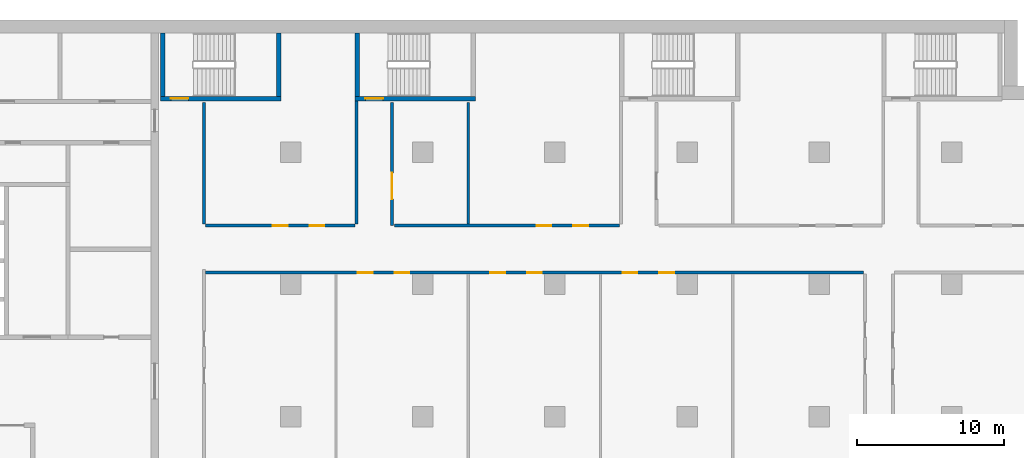
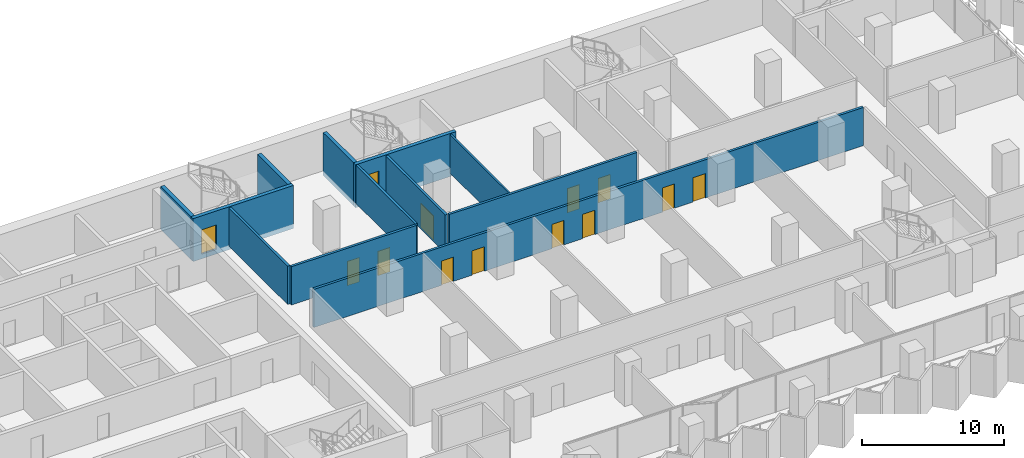
# One storey, part 16 of 28: 13 doors, 12 walls, 13 openings.
"""IFC4 building model written with IfcOpenShell, lengths in metres."""

from ifc_helpers import new_model, si_unit, direction, frame, frame_2d, origin, place, context, subcontext, project, spatial, rectangle, extrude, material, layer, layer_set, type_object, element, fill, save


model = new_model("IFC4")

# Units and contexts
model_context = context("Model", 3, precision=1e-05, world=origin(), true_north=direction((0.0, 1.0)))
body_context = subcontext(model_context, "Body", "Model", "MODEL_VIEW")
ifc_project = project(units=[si_unit("LENGTHUNIT", "METRE"), si_unit("AREAUNIT", "SQUARE_METRE"), si_unit("VOLUMEUNIT", "CUBIC_METRE"), si_unit("PLANEANGLEUNIT", "RADIAN"), si_unit("MASSUNIT", "GRAM", prefix="KILO")], contexts=[model_context])

# Site, building, storey
site_placement = place(None, origin())
site = spatial("IfcSite", under=ifc_project, at=site_placement, CompositionType="ELEMENT")
building_placement = place(site_placement, origin())
building = spatial("IfcBuilding", under=site, at=building_placement, Name="Hunhe Ridgeline Campus", CompositionType="ELEMENT")
storey_placement = place(building_placement, frame((0.0, 0.0, 43.199951171875)))
storey = spatial("IfcBuildingStorey", under=building, at=storey_placement, Name="L09", CompositionType="ELEMENT", Elevation=43.199951171875)

# Wall, openings, doors
ifc_material_1 = material(Name="Gypsum board partition")
ifc_layer_1 = layer(ifc_material_1, 0.199951171875)
ifc_layer_set_1 = layer_set([ifc_layer_1], Name="Corridor partition 200 gypsum board on steel studs")
wall_type_1 = type_object("IfcWallType", Name="Corridor partition 200 gypsum board on steel studs", PredefinedType="PARTITIONING", material=ifc_layer_set_1)
wall_1_placement = place(storey_placement, frame((84.0, 81.800048828125, 0.0), z_axis=(0.0, 0.0, 1.0), x_axis=(-1.0, 0.0, 0.0)))
wall_1 = element("IfcWall", 1, at=wall_1_placement, inside=storey, type_object=wall_type_1, Name="F-L09-wall-038", PredefinedType="PARTITIONING", context=body_context, shape_type="SweptSolid", body=[
    extrude(rectangle(XDim=44.800048828125, YDim=0.199951171875, at=frame_2d((22.39990234375, 0.0))), origin(), (0.0, 0.0, 1.0), 3.300048828125),
])
opening_1_placement = place(wall_1_placement, frame((33.41015625, 0.0, 0.0)))
opening_1 = element("IfcOpeningElement", 2, at=opening_1_placement, cuts=wall_1, Name="Opening RD1-037", PredefinedType="OPENING", context=body_context, shape_type="SweptSolid", body=[
    extrude(rectangle(XDim=1.0, YDim=2.10009765625, at=frame_2d((0.5, 1.050048828125))), frame((0.0, 0.10009765625, 0.0), z_axis=(0.0, -1.0, 0.0), x_axis=(1.0, 0.0, 0.0)), (0.0, 0.0, 1.0), 0.199951171875),
])
opening_2_placement = place(wall_1_placement, frame((30.91015625, 0.0, 0.0)))
opening_2 = element("IfcOpeningElement", 3, at=opening_2_placement, cuts=wall_1, Name="Opening RD1-038", PredefinedType="OPENING", context=body_context, shape_type="SweptSolid", body=[
    extrude(rectangle(XDim=1.0, YDim=2.10009765625, at=frame_2d((0.5, 1.050048828125))), frame((0.0, 0.10009765625, 0.0), z_axis=(0.0, -1.0, 0.0), x_axis=(1.0, 0.0, 0.0)), (0.0, 0.0, 1.0), 0.199951171875),
])
opening_3_placement = place(wall_1_placement, frame((24.39990234375, 0.0, 0.0)))
opening_3 = element("IfcOpeningElement", 4, at=opening_3_placement, cuts=wall_1, Name="Opening RD1-039", PredefinedType="OPENING", context=body_context, shape_type="SweptSolid", body=[
    extrude(rectangle(XDim=1.0, YDim=2.10009765625, at=frame_2d((0.5, 1.050048828125))), frame((0.0, 0.10009765625, 0.0), z_axis=(0.0, -1.0, 0.0), x_axis=(1.0, 0.0, 0.0)), (0.0, 0.0, 1.0), 0.199951171875),
])
opening_4_placement = place(wall_1_placement, frame((21.89990234375, 0.0, 0.0)))
opening_4 = element("IfcOpeningElement", 5, at=opening_4_placement, cuts=wall_1, Name="Opening RD1-040", PredefinedType="OPENING", context=body_context, shape_type="SweptSolid", body=[
    extrude(rectangle(XDim=1.0, YDim=2.10009765625, at=frame_2d((0.5, 1.050048828125))), frame((0.0, 0.10009765625, 0.0), z_axis=(0.0, -1.0, 0.0), x_axis=(1.0, 0.0, 0.0)), (0.0, 0.0, 1.0), 0.199951171875),
])
opening_5_placement = place(wall_1_placement, frame((15.389892578125, 0.0, 0.0)))
opening_5 = element("IfcOpeningElement", 6, at=opening_5_placement, cuts=wall_1, Name="Opening RD1-041", PredefinedType="OPENING", context=body_context, shape_type="SweptSolid", body=[
    extrude(rectangle(XDim=1.0, YDim=2.10009765625, at=frame_2d((0.5, 1.050048828125))), frame((0.0, 0.10009765625, 0.0), z_axis=(0.0, -1.0, 0.0), x_axis=(1.0, 0.0, 0.0)), (0.0, 0.0, 1.0), 0.199951171875),
])
opening_6_placement = place(wall_1_placement, frame((12.889892578125, 0.0, 0.0)))
opening_6 = element("IfcOpeningElement", 7, at=opening_6_placement, cuts=wall_1, Name="Opening RD1-042", PredefinedType="OPENING", context=body_context, shape_type="SweptSolid", body=[
    extrude(rectangle(XDim=1.0, YDim=2.10009765625, at=frame_2d((0.5, 1.050048828125))), frame((0.0, 0.10009765625, 0.0), z_axis=(0.0, -1.0, 0.0), x_axis=(1.0, 0.0, 0.0)), (0.0, 0.0, 1.0), 0.199951171875),
])
ifc_material_2 = material(Name="Timber door leaf", Category="wood")
door_type_1 = type_object("IfcDoorType", Name="Single fire door 1000x2100 timber FD60", OperationType="NOTDEFINED", PredefinedType="DOOR", material=ifc_material_2)
door_1_placement = place(opening_1_placement, frame((1.0, 0.0, 0.0), z_axis=(0.0, 0.0, 1.0), x_axis=(-1.0, 0.0, 0.0)))
door_1 = element("IfcDoor", 8, at=door_1_placement, inside=storey, type_object=door_type_1, Name="F-L09-door-037", OperationType="SINGLE_SWING_LEFT", OverallHeight=2.10009765625, OverallWidth=1.0, PredefinedType="DOOR", context=body_context, shape_type="SweptSolid", body=[
    extrude(rectangle(XDim=1.0, YDim=2.10009765625, at=frame_2d((0.5, 1.050048828125))), frame((0.0, 0.02490234375, 0.0), z_axis=(0.0, -1.0, 0.0), x_axis=(1.0, 0.0, 0.0)), (0.0, 0.0, 1.0), 0.050048828125),
])
fill(opening_1, door_1)
door_2_placement = place(opening_2_placement, frame((1.0, 0.0, 0.0), z_axis=(0.0, 0.0, 1.0), x_axis=(-1.0, 0.0, 0.0)))
door_2 = element("IfcDoor", 9, at=door_2_placement, inside=storey, type_object=door_type_1, Name="F-L09-door-038", OperationType="SINGLE_SWING_RIGHT", OverallHeight=2.10009765625, OverallWidth=1.0, PredefinedType="DOOR", context=body_context, shape_type="SweptSolid", body=[
    extrude(rectangle(XDim=1.0, YDim=2.10009765625, at=frame_2d((0.5, 1.050048828125))), frame((0.0, 0.02490234375, 0.0), z_axis=(0.0, -1.0, 0.0), x_axis=(1.0, 0.0, 0.0)), (0.0, 0.0, 1.0), 0.050048828125),
])
fill(opening_2, door_2)
door_3_placement = place(opening_3_placement, frame((1.0, 0.0, 0.0), z_axis=(0.0, 0.0, 1.0), x_axis=(-1.0, 0.0, 0.0)))
door_3 = element("IfcDoor", 10, at=door_3_placement, inside=storey, type_object=door_type_1, Name="F-L09-door-039", OperationType="SINGLE_SWING_LEFT", OverallHeight=2.10009765625, OverallWidth=1.0, PredefinedType="DOOR", context=body_context, shape_type="SweptSolid", body=[
    extrude(rectangle(XDim=1.0, YDim=2.10009765625, at=frame_2d((0.5, 1.050048828125))), frame((0.0, 0.02490234375, 0.0), z_axis=(0.0, -1.0, 0.0), x_axis=(1.0, 0.0, 0.0)), (0.0, 0.0, 1.0), 0.050048828125),
])
fill(opening_3, door_3)
door_4_placement = place(opening_4_placement, frame((1.0, 0.0, 0.0), z_axis=(0.0, 0.0, 1.0), x_axis=(-1.0, 0.0, 0.0)))
door_4 = element("IfcDoor", 11, at=door_4_placement, inside=storey, type_object=door_type_1, Name="F-L09-door-040", OperationType="SINGLE_SWING_RIGHT", OverallHeight=2.10009765625, OverallWidth=1.0, PredefinedType="DOOR", context=body_context, shape_type="SweptSolid", body=[
    extrude(rectangle(XDim=1.0, YDim=2.10009765625, at=frame_2d((0.5, 1.050048828125))), frame((0.0, 0.02490234375, 0.0), z_axis=(0.0, -1.0, 0.0), x_axis=(1.0, 0.0, 0.0)), (0.0, 0.0, 1.0), 0.050048828125),
])
fill(opening_4, door_4)
door_5_placement = place(opening_5_placement, frame((1.0, 0.0, 0.0), z_axis=(0.0, 0.0, 1.0), x_axis=(-1.0, 0.0, 0.0)))
door_5 = element("IfcDoor", 12, at=door_5_placement, inside=storey, type_object=door_type_1, Name="F-L09-door-041", OperationType="SINGLE_SWING_LEFT", OverallHeight=2.10009765625, OverallWidth=1.0, PredefinedType="DOOR", context=body_context, shape_type="SweptSolid", body=[
    extrude(rectangle(XDim=1.0, YDim=2.10009765625, at=frame_2d((0.5, 1.050048828125))), frame((0.0, 0.02490234375, 0.0), z_axis=(0.0, -1.0, 0.0), x_axis=(1.0, 0.0, 0.0)), (0.0, 0.0, 1.0), 0.050048828125),
])
fill(opening_5, door_5)
door_6_placement = place(opening_6_placement, frame((1.0, 0.0, 0.0), z_axis=(0.0, 0.0, 1.0), x_axis=(-1.0, 0.0, 0.0)))
door_6 = element("IfcDoor", 13, at=door_6_placement, inside=storey, type_object=door_type_1, Name="F-L09-door-042", OperationType="SINGLE_SWING_RIGHT", OverallHeight=2.10009765625, OverallWidth=1.0, PredefinedType="DOOR", context=body_context, shape_type="SweptSolid", body=[
    extrude(rectangle(XDim=1.0, YDim=2.10009765625, at=frame_2d((0.5, 1.050048828125))), frame((0.0, 0.02490234375, 0.0), z_axis=(0.0, -1.0, 0.0), x_axis=(1.0, 0.0, 0.0)), (0.0, 0.0, 1.0), 0.050048828125),
])
fill(opening_6, door_6)

wall_2_placement = place(storey_placement, frame((39.199951171875, 85.0, 0.0), z_axis=(0.0, 0.0, 1.0), x_axis=(1.0, 0.0, 0.0)))
wall_2 = element("IfcWall", 14, at=wall_2_placement, inside=storey, type_object=wall_type_1, Name="F-L09-wall-040", PredefinedType="PARTITIONING", context=body_context, shape_type="SweptSolid", body=[
    extrude(rectangle(XDim=10.199951171875, YDim=0.199951171875, at=frame_2d((5.10009765625, 0.0))), origin(), (0.0, 0.0, 1.0), 3.300048828125),
])
opening_7_placement = place(wall_2_placement, frame((4.60009765625, 0.0, 0.0)))
opening_7 = element("IfcOpeningElement", 15, at=opening_7_placement, cuts=wall_2, Name="Opening RD1-043", PredefinedType="OPENING", context=body_context, shape_type="SweptSolid", body=[
    extrude(rectangle(XDim=1.0, YDim=2.10009765625, at=frame_2d((0.5, 1.050048828125))), frame((0.0, 0.10009765625, 0.0), z_axis=(0.0, -1.0, 0.0), x_axis=(1.0, 0.0, 0.0)), (0.0, 0.0, 1.0), 0.199951171875),
])
opening_8_placement = place(wall_2_placement, frame((7.10009765625, 0.0, 0.0)))
opening_8 = element("IfcOpeningElement", 16, at=opening_8_placement, cuts=wall_2, Name="Opening RD1-044", PredefinedType="OPENING", context=body_context, shape_type="SweptSolid", body=[
    extrude(rectangle(XDim=1.0, YDim=2.10009765625, at=frame_2d((0.5, 1.050048828125))), frame((0.0, 0.10009765625, 0.0), z_axis=(0.0, -1.0, 0.0), x_axis=(1.0, 0.0, 0.0)), (0.0, 0.0, 1.0), 0.199951171875),
])
door_7_placement = place(opening_7_placement, frame((1.0, 0.0, 0.0), z_axis=(0.0, 0.0, 1.0), x_axis=(-1.0, 0.0, 0.0)))
door_7 = element("IfcDoor", 17, at=door_7_placement, inside=storey, type_object=door_type_1, Name="F-L09-door-043", OperationType="SINGLE_SWING_LEFT", OverallHeight=2.10009765625, OverallWidth=1.0, PredefinedType="DOOR", context=body_context, shape_type="SweptSolid", body=[
    extrude(rectangle(XDim=1.0, YDim=2.10009765625, at=frame_2d((0.5, 1.050048828125))), frame((0.0, 0.02490234375, 0.0), z_axis=(0.0, -1.0, 0.0), x_axis=(1.0, 0.0, 0.0)), (0.0, 0.0, 1.0), 0.050048828125),
])
fill(opening_7, door_7)
door_8_placement = place(opening_8_placement, frame((1.0, 0.0, 0.0), z_axis=(0.0, 0.0, 1.0), x_axis=(-1.0, 0.0, 0.0)))
door_8 = element("IfcDoor", 18, at=door_8_placement, inside=storey, type_object=door_type_1, Name="F-L09-door-044", OperationType="SINGLE_SWING_LEFT", OverallHeight=2.10009765625, OverallWidth=1.0, PredefinedType="DOOR", context=body_context, shape_type="SweptSolid", body=[
    extrude(rectangle(XDim=1.0, YDim=2.10009765625, at=frame_2d((0.5, 1.050048828125))), frame((0.0, 0.02490234375, 0.0), z_axis=(0.0, -1.0, 0.0), x_axis=(1.0, 0.0, 0.0)), (0.0, 0.0, 1.0), 0.050048828125),
])
fill(opening_8, door_8)

wall_3_placement = place(storey_placement, frame((52.087646484375, 85.0, 0.0), z_axis=(0.0, 0.0, 1.0), x_axis=(1.0, 0.0, 0.0)))
wall_3 = element("IfcWall", 19, at=wall_3_placement, inside=storey, type_object=wall_type_1, Name="F-L09-wall-041", PredefinedType="PARTITIONING", context=body_context, shape_type="SweptSolid", body=[
    extrude(rectangle(XDim=15.312255859375, YDim=0.199951171875, at=frame_2d((7.65625, 0.0))), origin(), (0.0, 0.0, 1.0), 3.300048828125),
])
opening_9_placement = place(wall_3_placement, frame((9.66650390625, 0.0, 0.0)))
opening_9 = element("IfcOpeningElement", 20, at=opening_9_placement, cuts=wall_3, Name="Opening RD1-045", PredefinedType="OPENING", context=body_context, shape_type="SweptSolid", body=[
    extrude(rectangle(XDim=1.0, YDim=2.10009765625, at=frame_2d((0.5, 1.050048828125))), frame((0.0, 0.10009765625, 0.0), z_axis=(0.0, -1.0, 0.0), x_axis=(1.0, 0.0, 0.0)), (0.0, 0.0, 1.0), 0.199951171875),
])
opening_10_placement = place(wall_3_placement, frame((12.16650390625, 0.0, 0.0)))
opening_10 = element("IfcOpeningElement", 21, at=opening_10_placement, cuts=wall_3, Name="Opening RD1-046", PredefinedType="OPENING", context=body_context, shape_type="SweptSolid", body=[
    extrude(rectangle(XDim=1.0, YDim=2.10009765625, at=frame_2d((0.5, 1.050048828125))), frame((0.0, 0.10009765625, 0.0), z_axis=(0.0, -1.0, 0.0), x_axis=(1.0, 0.0, 0.0)), (0.0, 0.0, 1.0), 0.199951171875),
])
door_9_placement = place(opening_9_placement, frame((1.0, 0.0, 0.0), z_axis=(0.0, 0.0, 1.0), x_axis=(-1.0, 0.0, 0.0)))
door_9 = element("IfcDoor", 22, at=door_9_placement, inside=storey, type_object=door_type_1, Name="F-L09-door-045", OperationType="SINGLE_SWING_RIGHT", OverallHeight=2.10009765625, OverallWidth=1.0, PredefinedType="DOOR", context=body_context, shape_type="SweptSolid", body=[
    extrude(rectangle(XDim=1.0, YDim=2.10009765625, at=frame_2d((0.5, 1.050048828125))), frame((0.0, 0.02490234375, 0.0), z_axis=(0.0, -1.0, 0.0), x_axis=(1.0, 0.0, 0.0)), (0.0, 0.0, 1.0), 0.050048828125),
])
fill(opening_9, door_9)
door_10_placement = place(opening_10_placement, frame((1.0, 0.0, 0.0), z_axis=(0.0, 0.0, 1.0), x_axis=(-1.0, 0.0, 0.0)))
door_10 = element("IfcDoor", 23, at=door_10_placement, inside=storey, type_object=door_type_1, Name="F-L09-door-046", OperationType="SINGLE_SWING_LEFT", OverallHeight=2.10009765625, OverallWidth=1.0, PredefinedType="DOOR", context=body_context, shape_type="SweptSolid", body=[
    extrude(rectangle(XDim=1.0, YDim=2.10009765625, at=frame_2d((0.5, 1.050048828125))), frame((0.0, 0.02490234375, 0.0), z_axis=(0.0, -1.0, 0.0), x_axis=(1.0, 0.0, 0.0)), (0.0, 0.0, 1.0), 0.050048828125),
])
fill(opening_10, door_10)

# Walls
wall_4_placement = place(storey_placement, frame((39.10009765625, 93.39599609375, 0.0), z_axis=(0.0, 0.0, 1.0), x_axis=(0.0, -1.0, 0.0)))
element("IfcWall", 24, at=wall_4_placement, inside=storey, type_object=wall_type_1, Name="F-L09-wall-056", PredefinedType="PARTITIONING", context=body_context, shape_type="SweptSolid", body=[
    extrude(rectangle(XDim=8.2958984375, YDim=0.199951171875, at=frame_2d((4.14794921875, 0.0))), origin(), (0.0, 0.0, 1.0), 3.300048828125),
])
wall_5_placement = place(storey_placement, frame((49.5, 85.10009765625, 0.0), z_axis=(0.0, 0.0, 1.0), x_axis=(0.0, 1.0, 0.0)))
element("IfcWall", 25, at=wall_5_placement, inside=storey, type_object=wall_type_1, Name="F-L09-wall-059", PredefinedType="PARTITIONING", context=body_context, shape_type="SweptSolid", body=[
    extrude(rectangle(XDim=8.369873046875, YDim=0.199951171875, at=frame_2d((4.18505859375, 0.0))), origin(), (0.0, 0.0, 1.0), 3.300048828125),
])

# Wall, opening, door
wall_6_placement = place(storey_placement, frame((51.89990234375, 93.39599609375, 0.0), z_axis=(0.0, 0.0, 1.0), x_axis=(0.0, -1.0, 0.0)))
wall_6 = element("IfcWall", 26, at=wall_6_placement, inside=storey, type_object=wall_type_1, Name="F-L09-wall-060", PredefinedType="PARTITIONING", context=body_context, shape_type="SweptSolid", body=[
    extrude(rectangle(XDim=8.39599609375, YDim=0.199951171875, at=frame_2d((4.197998046875, 0.0))), origin(), (0.0, 0.0, 1.0), 3.300048828125),
])
opening_11_placement = place(wall_6_placement, frame((4.798095703125, 0.0, 0.0)))
opening_11 = element("IfcOpeningElement", 27, at=opening_11_placement, cuts=wall_6, Name="Opening RD2-051", PredefinedType="OPENING", context=body_context, shape_type="SweptSolid", body=[
    extrude(rectangle(XDim=1.800048828125, YDim=2.10009765625, at=frame_2d((0.89990234375, 1.050048828125))), frame((0.0, 0.10009765625, 0.0), z_axis=(0.0, -1.0, 0.0), x_axis=(1.0, 0.0, 0.0)), (0.0, 0.0, 1.0), 0.199951171875),
])
door_type_2 = type_object("IfcDoorType", Name="Double fire door 1800x2100 timber FD60", OperationType="DOUBLE_DOOR_SINGLE_SWING", PredefinedType="DOOR", material=ifc_material_2)
door_11_placement = place(opening_11_placement, origin())
door_11 = element("IfcDoor", 28, at=door_11_placement, inside=storey, type_object=door_type_2, Name="F-L09-door-051", OperationType="DOUBLE_DOOR_SINGLE_SWING", OverallHeight=2.10009765625, OverallWidth=1.800048828125, PredefinedType="DOOR", context=body_context, shape_type="SweptSolid", body=[
    extrude(rectangle(XDim=1.800048828125, YDim=2.10009765625, at=frame_2d((0.89990234375, 1.050048828125))), frame((0.0, 0.02490234375, 0.0), z_axis=(0.0, -1.0, 0.0), x_axis=(1.0, 0.0, 0.0)), (0.0, 0.0, 1.0), 0.050048828125),
])
fill(opening_11, door_11)

# Wall
ifc_layer_2 = layer(ifc_material_1, 0.14990234375)
ifc_layer_set_2 = layer_set([ifc_layer_2], Name="Room partition 150 gypsum board on steel studs")
wall_type_2 = type_object("IfcWallType", Name="Room partition 150 gypsum board on steel studs", PredefinedType="PARTITIONING", material=ifc_layer_set_2)
wall_7_placement = place(storey_placement, frame((57.10009765625, 93.39599609375, 0.0), z_axis=(0.0, 0.0, 1.0), x_axis=(0.0, -1.0, 0.0)))
element("IfcWall", 29, at=wall_7_placement, inside=storey, type_object=wall_type_2, Name="F-L09-wall-064", PredefinedType="PARTITIONING", context=body_context, shape_type="SweptSolid", body=[
    extrude(rectangle(XDim=8.2958984375, YDim=0.14990234375, at=frame_2d((4.14794921875, 0.0))), origin(), (0.0, 0.0, 1.0), 3.300048828125),
])

# Wall, opening, door
ifc_material_3 = material(Name="Concrete C80", Category="concrete")
ifc_layer_3 = layer(ifc_material_3, 0.300048828125)
ifc_layer_set_3 = layer_set([ifc_layer_3], Name="Stair wall 300 reinforced concrete C80")
wall_type_3 = type_object("IfcWallType", Name="Stair wall 300 reinforced concrete C80", PredefinedType="SOLIDWALL", material=ifc_layer_set_3)
wall_8_placement = place(storey_placement, frame((36.14990234375, 93.64990234375, -0.39990234375), z_axis=(0.0, 0.0, 1.0), x_axis=(1.0, 0.0, 0.0)))
wall_8 = element("IfcWall", 30, at=wall_8_placement, inside=storey, type_object=wall_type_3, Name="L09 core wall 32", PredefinedType="SOLIDWALL", context=body_context, shape_type="SweptSolid", body=[
    extrude(rectangle(XDim=8.2001953125, YDim=0.300048828125, at=frame_2d((4.10009765625, 0.0))), origin(), (0.0, 0.0, 1.0), 3.699951171875),
])
opening_12_placement = place(wall_8_placement, frame((0.699951171875, 0.0, 0.39990234375)))
opening_12 = element("IfcOpeningElement", 31, at=opening_12_placement, cuts=wall_8, Name="Opening CD17", PredefinedType="OPENING", context=body_context, shape_type="SweptSolid", body=[
    extrude(rectangle(XDim=1.199951171875, YDim=2.10009765625, at=frame_2d((0.60009765625, 1.050048828125))), frame((0.0, 0.14990234375, 0.0), z_axis=(0.0, -1.0, 0.0), x_axis=(1.0, 0.0, 0.0)), (0.0, 0.0, 1.0), 0.300048828125),
])
ifc_material_4 = material(Name="Hollow metal fire door leaf")
door_type_3 = type_object("IfcDoorType", Name="Stair door 1200x2100 FD60", OperationType="SINGLE_SWING_LEFT", PredefinedType="DOOR", material=ifc_material_4)
door_12_placement = place(opening_12_placement, frame((1.199951171875, 0.0, 0.0), z_axis=(0.0, 0.0, 1.0), x_axis=(-1.0, 0.0, 0.0)))
door_12 = element("IfcDoor", 32, at=door_12_placement, inside=storey, type_object=door_type_3, Name="L09 door E1", OperationType="SINGLE_SWING_RIGHT", OverallHeight=2.10009765625, OverallWidth=1.199951171875, PredefinedType="DOOR", context=body_context, shape_type="SweptSolid", body=[
    extrude(rectangle(XDim=1.199951171875, YDim=2.10009765625, at=frame_2d((0.60009765625, 1.050048828125))), frame((0.0, 0.02490234375, 0.0), z_axis=(0.0, -1.0, 0.0), x_axis=(1.0, 0.0, 0.0)), (0.0, 0.0, 1.0), 0.050048828125),
])
fill(opening_12, door_12)

wall_9_placement = place(storey_placement, frame((49.39990234375, 93.64990234375, -0.39990234375), z_axis=(0.0, 0.0, 1.0), x_axis=(1.0, 0.0, 0.0)))
wall_9 = element("IfcWall", 33, at=wall_9_placement, inside=storey, type_object=wall_type_3, Name="L09 core wall 33", PredefinedType="SOLIDWALL", context=body_context, shape_type="SweptSolid", body=[
    extrude(rectangle(XDim=8.2001953125, YDim=0.300048828125, at=frame_2d((4.10009765625, 0.0))), origin(), (0.0, 0.0, 1.0), 3.699951171875),
])
opening_13_placement = place(wall_9_placement, frame((0.699951171875, 0.0, 0.39990234375)))
opening_13 = element("IfcOpeningElement", 34, at=opening_13_placement, cuts=wall_9, Name="Opening CD18", PredefinedType="OPENING", context=body_context, shape_type="SweptSolid", body=[
    extrude(rectangle(XDim=1.199951171875, YDim=2.10009765625, at=frame_2d((0.60009765625, 1.050048828125))), frame((0.0, 0.14990234375, 0.0), z_axis=(0.0, -1.0, 0.0), x_axis=(1.0, 0.0, 0.0)), (0.0, 0.0, 1.0), 0.300048828125),
])
door_13_placement = place(opening_13_placement, frame((1.199951171875, 0.0, 0.0), z_axis=(0.0, 0.0, 1.0), x_axis=(-1.0, 0.0, 0.0)))
door_13 = element("IfcDoor", 35, at=door_13_placement, inside=storey, type_object=door_type_3, Name="L09 door E2", OperationType="SINGLE_SWING_LEFT", OverallHeight=2.10009765625, OverallWidth=1.199951171875, PredefinedType="DOOR", context=body_context, shape_type="SweptSolid", body=[
    extrude(rectangle(XDim=1.199951171875, YDim=2.10009765625, at=frame_2d((0.60009765625, 1.050048828125))), frame((0.0, 0.02490234375, 0.0), z_axis=(0.0, -1.0, 0.0), x_axis=(1.0, 0.0, 0.0)), (0.0, 0.0, 1.0), 0.050048828125),
])
fill(opening_13, door_13)

# Walls
for number, where, z_axis, x_axis, name in (
    (36, (36.300048828125, 93.800048828125, -0.39990234375), (0.0, 0.0, 1.0), (0.0, 1.0, 0.0), "L09 core wall 65"),
    (37, (44.199951171875, 93.800048828125, -0.39990234375), (0.0, 0.0, 1.0), (0.0, 1.0, 0.0), "L09 core wall 66"),
    (38, (49.550048828125, 93.800048828125, -0.39990234375), (0.0, 0.0, 1.0), (0.0, 1.0, 0.0), "L09 core wall 67"),
):
    element("IfcWall", number, at=place(storey_placement, frame(where, z_axis=z_axis, x_axis=x_axis)), inside=storey, type_object=wall_type_3, Name=name, PredefinedType="SOLIDWALL", context=body_context, shape_type="SweptSolid", body=[
        extrude(rectangle(XDim=4.300048828125, YDim=0.300048828125, at=frame_2d((2.14990234375, 0.0))), origin(), (0.0, 0.0, 1.0), 3.699951171875),
    ])

save(model, "model.ifc")
